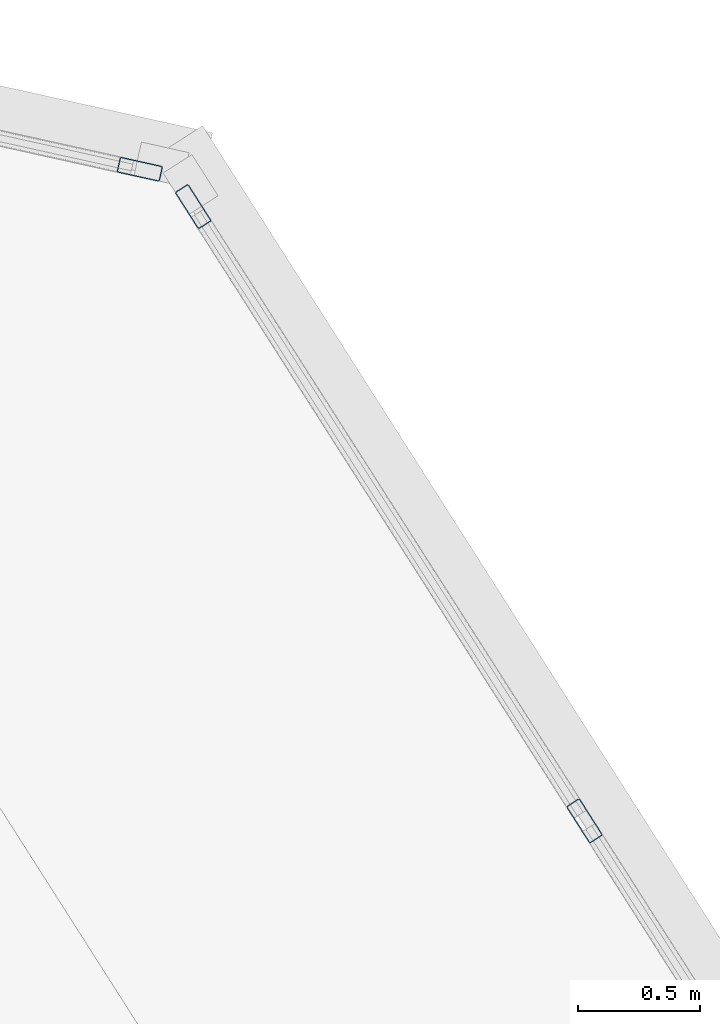
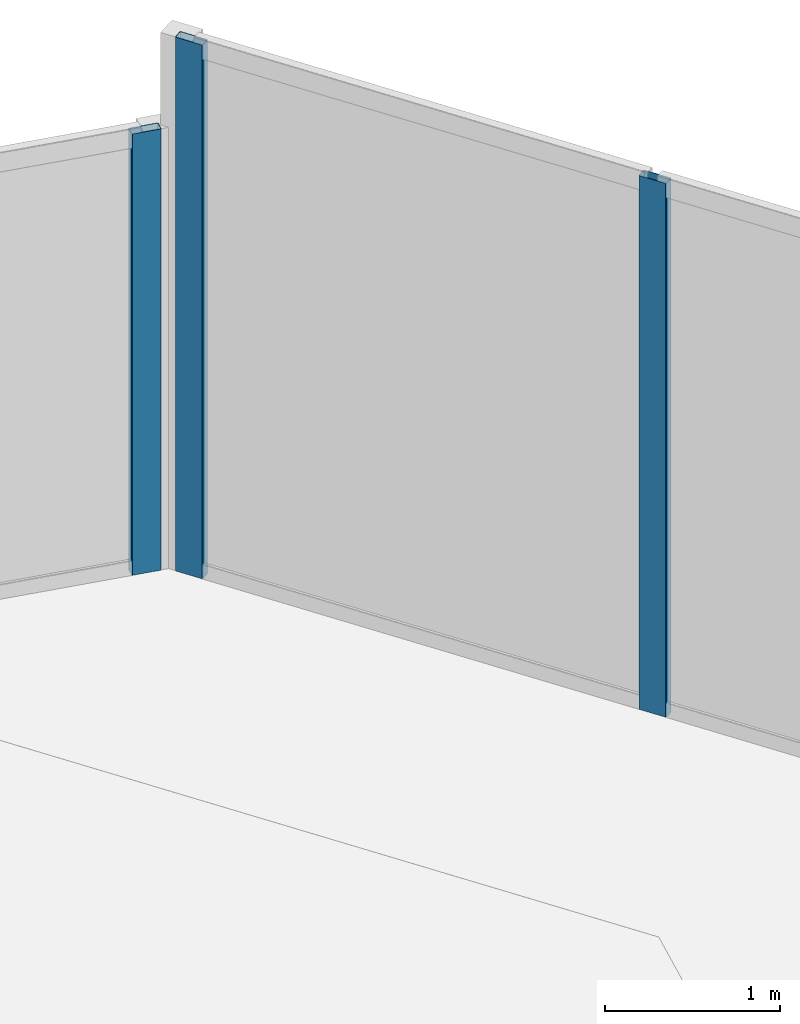
# One storey, part 15 of 26: 3 members, 2 elements without a shape of their own.
"""IFC4 building model written with IfcOpenShell, lengths in metres."""

from ifc_helpers import new_model, si_unit, direction, frame, origin, origin_2d, place, context, subcontext, project, spatial, hollow_rectangle, extrude, source, transform, mapped, material, material_profile, profile_set, type_object, element, aggregate, save


model = new_model("IFC4")

# Units and contexts
model_context = context("Model", 3, precision=1e-05, world=origin(), true_north=direction((0.0, 1.0)))
body_context = subcontext(model_context, "Body", "Model", "MODEL_VIEW")
ifc_project = project(units=[si_unit("LENGTHUNIT", "METRE"), si_unit("AREAUNIT", "SQUARE_METRE"), si_unit("VOLUMEUNIT", "CUBIC_METRE"), si_unit("PLANEANGLEUNIT", "RADIAN"), si_unit("MASSUNIT", "GRAM", prefix="KILO")], contexts=[model_context])

# Site, building, storey
site_placement = place(None, origin())
site = spatial("IfcSite", under=ifc_project, at=site_placement, CompositionType="ELEMENT")
building_placement = place(site_placement, origin())
building = spatial("IfcBuilding", under=site, at=building_placement, Name="Torre Montelarca", CompositionType="ELEMENT")
storey_placement = place(building_placement, frame((0.0, 0.0, 95.800048828125)))
storey = spatial("IfcBuildingStorey", under=building, at=storey_placement, Name="L21", CompositionType="ELEMENT", Elevation=95.800048828125)

# Curtain wall, members
ifc_material_1 = material(Name="Insulated low-E laminated glass", Category="glass")
curtain_wall_type = type_object("IfcCurtainWallType", Name="CW-SYS-Z1", PredefinedType="USERDEFINED", material=ifc_material_1)
curtain_wall_1_placement = place(storey_placement, origin())
curtain_wall_1 = element("IfcCurtainWall", 1, at=curtain_wall_1_placement, inside=storey, type_object=curtain_wall_type, Name="L21 Curtain Wall Run CW-T3-L21-E07-B1", ObjectType="UNITISED GLAZING", PredefinedType="USERDEFINED")
ifc_material_2 = material(Name="Anodised aluminium AA 6063-T6", Category="aluminium")
ifc_material_profile = material_profile(ifc_material_2, hollow_rectangle(XDim=0.06494140625, YDim=0.179931640625, WallThickness=0.00390625, InnerFilletRadius=0.00390625, OuterFilletRadius=0.008056640625, at=origin_2d()), Name="ALU65X180X4", Category="aluminium")
ifc_profile_set = profile_set([ifc_material_profile], Name="Anodised aluminium AA 6063-T6")
member_type = type_object("IfcMemberType", Name="CWM-ALU180", PredefinedType="MULLION", material=ifc_profile_set)
shared_shape_1 = source(origin(), body_context, "Body", "SweptSolid", [
    extrude(hollow_rectangle(XDim=0.06494140625, YDim=0.179931640625, WallThickness=0.00390625, InnerFilletRadius=0.00390625, OuterFilletRadius=0.008056640625, at=origin_2d()), origin(), (0.0, 0.0, 1.0), 3.719970703125),
])
member_1_placement = place(storey_placement, frame((63.60791015625, 36.859375, 0.0), z_axis=(0.0, 0.0, 1.0), x_axis=(-0.843380828079, -0.537316274487, 0.0)))
member_1 = element("IfcMember", 2, at=member_1_placement, type_object=member_type, Name="CW mullion 2", PredefinedType="MULLION", context=body_context, shape_type="MappedRepresentation", body=[
    mapped(shared_shape_1, transform((0.0, 0.0, 0.0), scale=1.0)),
])
member_2_placement = place(storey_placement, frame((62.0048828125, 39.375732421875, 0.0), z_axis=(0.0, 0.0, 1.0), x_axis=(-0.843380828079, -0.537316274487, 0.0)))
member_2 = element("IfcMember", 3, at=member_2_placement, type_object=member_type, Name="CW mullion 3", PredefinedType="MULLION", context=body_context, shape_type="MappedRepresentation", body=[
    mapped(shared_shape_1, transform((0.0, 0.0, 0.0), scale=1.0)),
])
aggregate(curtain_wall_1, [member_1, member_2])

# Curtain wall, member
curtain_wall_2_placement = place(storey_placement, origin())
curtain_wall_2 = element("IfcCurtainWall", 4, at=curtain_wall_2_placement, inside=storey, type_object=curtain_wall_type, Name="L21 Curtain Wall Run CW-T3-L21-E08-B1", ObjectType="UNITISED GLAZING", PredefinedType="USERDEFINED")
shared_shape_2 = source(origin(), body_context, "Body", "SweptSolid", [
    extrude(hollow_rectangle(XDim=0.06494140625, YDim=0.179931640625, WallThickness=0.00390625, InnerFilletRadius=0.00390625, OuterFilletRadius=0.008056640625, at=origin_2d()), origin(), (0.0, 0.0, 1.0), 3.074951171875),
])
member_3_placement = place(storey_placement, frame((61.7861328125, 39.52880859375, 0.0), z_axis=(0.0, 0.0, 1.0), x_axis=(-0.216441875294, -0.976295505787, 0.0)))
member_3 = element("IfcMember", 5, at=member_3_placement, type_object=member_type, Name="CW mullion 1", PredefinedType="MULLION", context=body_context, shape_type="MappedRepresentation", body=[
    mapped(shared_shape_2, transform((0.0, 0.0, 0.0), scale=1.0)),
])
aggregate(curtain_wall_2, [member_3])

save(model, "model.ifc")
